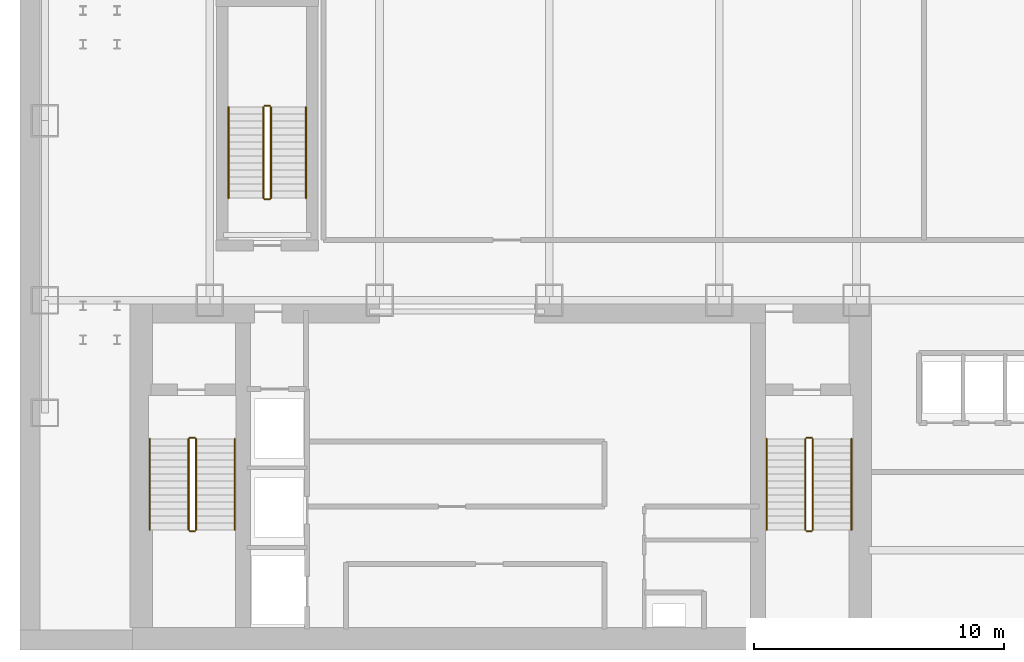
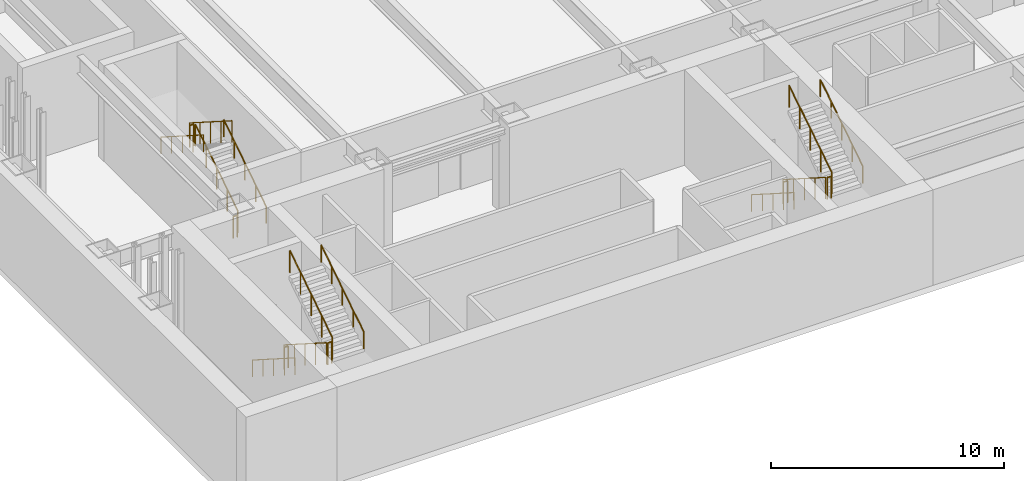
# One storey, part 13 of 16: 18 railings.
"""IFC4 building model written with IfcOpenShell, lengths in metres."""

from ifc_helpers import new_model, si_unit, derived_unit, direction, frame, origin, origin_2d, place, context, subcontext, project, spatial, circle, extrude, material, type_object, element, save


model = new_model("IFC4")

# Units and contexts
model_context = context("Model", 3, precision=1e-05, world=origin(), true_north=direction((0.0, 1.0)))
body_context = subcontext(model_context, "Body", "Model", "MODEL_VIEW")
ifc_project = project(units=[si_unit("LENGTHUNIT", "METRE"), si_unit("AREAUNIT", "SQUARE_METRE"), si_unit("VOLUMEUNIT", "CUBIC_METRE"), si_unit("PLANEANGLEUNIT", "RADIAN"), si_unit("MASSUNIT", "GRAM", prefix="KILO"), derived_unit("THERMALTRANSMITTANCEUNIT", [(si_unit("POWERUNIT", "WATT"), 1), (si_unit("LENGTHUNIT", "METRE"), -2), (si_unit("THERMODYNAMICTEMPERATUREUNIT", "KELVIN"), -1)])], contexts=[model_context])

# Site, building, storey
site_placement = place(None, origin())
site = spatial("IfcSite", under=ifc_project, at=site_placement, CompositionType="ELEMENT")
building_placement = place(site_placement, origin())
building = spatial("IfcBuilding", under=site, at=building_placement, Name="Skarnbrae Concourse Arena and Tower", CompositionType="ELEMENT")
storey_placement = place(building_placement, frame((0.0, 0.0, -5.0)))
storey = spatial("IfcBuildingStorey", under=building, at=storey_placement, Name="B01", CompositionType="ELEMENT", Elevation=-5.0)

# Railings
ifc_material = material(Name="Steel CSA G40.21 350W", Category="steel")
railing_type_1 = type_object("IfcRailingType", Name="RAIL-HANDRAIL-900", PredefinedType="HANDRAIL", material=ifc_material)
railing_1_placement = place(storey_placement, frame((5.199951171875, 8.449951171875, 0.178466796875)))
element("IfcRailing", 1, at=railing_1_placement, inside=storey, type_object=railing_type_1, Name="B01 ST-1 stair handrail 1", PredefinedType="HANDRAIL", context=body_context, shape_type="SweptSolid", body=[
    extrude(circle(Radius=0.02392578125, at=origin_2d()), frame((0.0, 0.0, 0.8759765625), z_axis=(0.0, -0.843111507901, 0.53773877045), x_axis=(1.0, 0.0, 0.0)), (0.0, 0.0, 1.0), 4.317138671875),
    extrude(circle(Radius=0.02099609375, at=origin_2d()), origin(), (0.0, 0.0, 1.0), 0.851806640625),
    extrude(circle(Radius=0.02099609375, at=origin_2d()), frame((0.0, -0.909912109375, 0.580322265625)), (0.0, 0.0, 1.0), 0.851806640625),
    extrude(circle(Radius=0.02099609375, at=origin_2d()), frame((0.0, -1.81982421875, 1.16064453125)), (0.0, 0.0, 1.0), 0.851806640625),
    extrude(circle(Radius=0.02099609375, at=origin_2d()), frame((0.0, -2.72998046875, 1.7412109375)), (0.0, 0.0, 1.0), 0.851806640625),
    extrude(circle(Radius=0.02099609375, at=origin_2d()), frame((0.0, -3.639892578125, 2.321533203125)), (0.0, 0.0, 1.0), 0.851806640625),
])
railing_2_placement = place(storey_placement, frame((8.60009765625, 4.81005859375, 2.678466796875)))
element("IfcRailing", 2, at=railing_2_placement, inside=storey, type_object=railing_type_1, Name="B01 ST-1 stair handrail 2", PredefinedType="HANDRAIL", context=body_context, shape_type="SweptSolid", body=[
    extrude(circle(Radius=0.02392578125, at=origin_2d()), frame((0.0, 0.0, 0.8759765625), z_axis=(0.0, 0.843111507901, 0.53773877045), x_axis=(-1.0, 0.0, 0.0)), (0.0, 0.0, 1.0), 4.317138671875),
    extrude(circle(Radius=0.02099609375, at=origin_2d()), origin(), (0.0, 0.0, 1.0), 0.851806640625),
    extrude(circle(Radius=0.02099609375, at=origin_2d()), frame((0.0, 0.909912109375, 0.580322265625)), (0.0, 0.0, 1.0), 0.851806640625),
    extrude(circle(Radius=0.02099609375, at=origin_2d()), frame((0.0, 1.81982421875, 1.16064453125)), (0.0, 0.0, 1.0), 0.851806640625),
    extrude(circle(Radius=0.02099609375, at=origin_2d()), frame((0.0, 2.72998046875, 1.7412109375)), (0.0, 0.0, 1.0), 0.851806640625),
    extrude(circle(Radius=0.02099609375, at=origin_2d()), frame((0.0, 3.639892578125, 2.321533203125)), (0.0, 0.0, 1.0), 0.851806640625),
])
railing_3_placement = place(storey_placement, frame((29.89990234375, 8.449951171875, 0.178466796875)))
element("IfcRailing", 3, at=railing_3_placement, inside=storey, type_object=railing_type_1, Name="B01 ST-2 stair handrail 1", PredefinedType="HANDRAIL", context=body_context, shape_type="SweptSolid", body=[
    extrude(circle(Radius=0.02392578125, at=origin_2d()), frame((0.0, 0.0, 0.8759765625), z_axis=(0.0, -0.843111507901, 0.53773877045), x_axis=(1.0, 0.0, 0.0)), (0.0, 0.0, 1.0), 4.317138671875),
    extrude(circle(Radius=0.02099609375, at=origin_2d()), origin(), (0.0, 0.0, 1.0), 0.851806640625),
    extrude(circle(Radius=0.02099609375, at=origin_2d()), frame((0.0, -0.909912109375, 0.580322265625)), (0.0, 0.0, 1.0), 0.851806640625),
    extrude(circle(Radius=0.02099609375, at=origin_2d()), frame((0.0, -1.81982421875, 1.16064453125)), (0.0, 0.0, 1.0), 0.851806640625),
    extrude(circle(Radius=0.02099609375, at=origin_2d()), frame((0.0, -2.72998046875, 1.7412109375)), (0.0, 0.0, 1.0), 0.851806640625),
    extrude(circle(Radius=0.02099609375, at=origin_2d()), frame((0.0, -3.639892578125, 2.321533203125)), (0.0, 0.0, 1.0), 0.851806640625),
])
for number, where, name in (
    (4, (33.300048828125, 4.81005859375, 2.678466796875), "B01 ST-2 stair handrail 2"),
    (5, (11.449951171875, 18.10009765625, 0.178466796875), "B01 ST-B3 stair handrail 1"),
):
    element("IfcRailing", number, at=place(storey_placement, frame(where)), inside=storey, type_object=railing_type_1, Name=name, PredefinedType="HANDRAIL", context=body_context, shape_type="SweptSolid", body=[
        extrude(circle(Radius=0.02392578125, at=origin_2d()), frame((0.0, 0.0, 0.8759765625), z_axis=(0.0, 0.843111507901, 0.53773877045), x_axis=(-1.0, 0.0, 0.0)), (0.0, 0.0, 1.0), 4.317138671875),
        extrude(circle(Radius=0.02099609375, at=origin_2d()), origin(), (0.0, 0.0, 1.0), 0.851806640625),
        extrude(circle(Radius=0.02099609375, at=origin_2d()), frame((0.0, 0.909912109375, 0.580322265625)), (0.0, 0.0, 1.0), 0.851806640625),
        extrude(circle(Radius=0.02099609375, at=origin_2d()), frame((0.0, 1.81982421875, 1.16064453125)), (0.0, 0.0, 1.0), 0.851806640625),
        extrude(circle(Radius=0.02099609375, at=origin_2d()), frame((0.0, 2.72998046875, 1.7412109375)), (0.0, 0.0, 1.0), 0.851806640625),
        extrude(circle(Radius=0.02099609375, at=origin_2d()), frame((0.0, 3.639892578125, 2.321533203125)), (0.0, 0.0, 1.0), 0.851806640625),
    ])
railing_4_placement = place(storey_placement, frame((8.35009765625, 21.739990234375, 2.678466796875)))
element("IfcRailing", 6, at=railing_4_placement, inside=storey, type_object=railing_type_1, Name="B01 ST-B3 stair handrail 2", PredefinedType="HANDRAIL", context=body_context, shape_type="SweptSolid", body=[
    extrude(circle(Radius=0.02392578125, at=origin_2d()), frame((0.0, 0.0, 0.8759765625), z_axis=(0.0, -0.843111507901, 0.53773877045), x_axis=(1.0, 0.0, 0.0)), (0.0, 0.0, 1.0), 4.317138671875),
    extrude(circle(Radius=0.02099609375, at=origin_2d()), origin(), (0.0, 0.0, 1.0), 0.851806640625),
    extrude(circle(Radius=0.02099609375, at=origin_2d()), frame((0.0, -0.909912109375, 0.580322265625)), (0.0, 0.0, 1.0), 0.851806640625),
    extrude(circle(Radius=0.02099609375, at=origin_2d()), frame((0.0, -1.81982421875, 1.16064453125)), (0.0, 0.0, 1.0), 0.851806640625),
    extrude(circle(Radius=0.02099609375, at=origin_2d()), frame((0.0, -2.72998046875, 1.7412109375)), (0.0, 0.0, 1.0), 0.851806640625),
    extrude(circle(Radius=0.02099609375, at=origin_2d()), frame((0.0, -3.639892578125, 2.321533203125)), (0.0, 0.0, 1.0), 0.851806640625),
])
railing_type_2 = type_object("IfcRailingType", Name="RAIL-STAIR-GUARD-1150", PredefinedType="GUARDRAIL", material=ifc_material)
railing_5_placement = place(storey_placement, frame((6.75, 8.449951171875, 0.178466796875)))
element("IfcRailing", 7, at=railing_5_placement, inside=storey, type_object=railing_type_2, Name="B01 ST-1 stair guard 1", PredefinedType="GUARDRAIL", context=body_context, shape_type="SweptSolid", body=[
    extrude(circle(Radius=0.02392578125, at=origin_2d()), frame((0.0, 0.0, 1.1259765625), z_axis=(0.0, -0.843111507901, 0.53773877045), x_axis=(1.0, 0.0, 0.0)), (0.0, 0.0, 1.0), 4.317138671875),
    extrude(circle(Radius=0.02099609375, at=origin_2d()), origin(), (0.0, 0.0, 1.0), 1.101806640625),
    extrude(circle(Radius=0.02099609375, at=origin_2d()), frame((0.0, -0.909912109375, 0.580322265625)), (0.0, 0.0, 1.0), 1.101806640625),
    extrude(circle(Radius=0.02099609375, at=origin_2d()), frame((0.0, -1.81982421875, 1.16064453125)), (0.0, 0.0, 1.0), 1.101806640625),
    extrude(circle(Radius=0.02099609375, at=origin_2d()), frame((0.0, -2.72998046875, 1.7412109375)), (0.0, 0.0, 1.0), 1.101806640625),
    extrude(circle(Radius=0.02099609375, at=origin_2d()), frame((0.0, -3.639892578125, 2.321533203125)), (0.0, 0.0, 1.0), 1.101806640625),
])
railing_6_placement = place(storey_placement, frame((6.800048828125, 4.760009765625, 2.5)))
element("IfcRailing", 8, at=railing_6_placement, inside=storey, type_object=railing_type_2, Name="B01 ST-1 stair guard 2", PredefinedType="GUARDRAIL", context=body_context, shape_type="SweptSolid", body=[
    extrude(circle(Radius=0.02392578125, at=origin_2d()), frame((0.0, 0.0, 1.1259765625), z_axis=(1.0, 0.0, 0.0), x_axis=(0.0, 1.0, 0.0)), (0.0, 0.0, 1.0), 0.199951171875),
    extrude(circle(Radius=0.02099609375, at=origin_2d()), origin(), (0.0, 0.0, 1.0), 1.101806640625),
    extrude(circle(Radius=0.02099609375, at=origin_2d()), frame((0.199951171875, 0.0, 0.0)), (0.0, 0.0, 1.0), 1.101806640625),
])
railing_7_placement = place(storey_placement, frame((7.050048828125, 4.81005859375, 2.678466796875)))
element("IfcRailing", 9, at=railing_7_placement, inside=storey, type_object=railing_type_2, Name="B01 ST-1 stair guard 3", PredefinedType="GUARDRAIL", context=body_context, shape_type="SweptSolid", body=[
    extrude(circle(Radius=0.02392578125, at=origin_2d()), frame((0.0, 0.0, 1.1259765625), z_axis=(0.0, 0.843111507901, 0.53773877045), x_axis=(-1.0, 0.0, 0.0)), (0.0, 0.0, 1.0), 4.317138671875),
    extrude(circle(Radius=0.02099609375, at=origin_2d()), origin(), (0.0, 0.0, 1.0), 1.101806640625),
    extrude(circle(Radius=0.02099609375, at=origin_2d()), frame((0.0, 0.909912109375, 0.580322265625)), (0.0, 0.0, 1.0), 1.101806640625),
    extrude(circle(Radius=0.02099609375, at=origin_2d()), frame((0.0, 1.81982421875, 1.16064453125)), (0.0, 0.0, 1.0), 1.101806640625),
    extrude(circle(Radius=0.02099609375, at=origin_2d()), frame((0.0, 2.72998046875, 1.7412109375)), (0.0, 0.0, 1.0), 1.101806640625),
    extrude(circle(Radius=0.02099609375, at=origin_2d()), frame((0.0, 3.639892578125, 2.321533203125)), (0.0, 0.0, 1.0), 1.101806640625),
])
railing_8_placement = place(storey_placement, frame((6.800048828125, 8.5, 0.0)))
element("IfcRailing", 10, at=railing_8_placement, inside=storey, type_object=railing_type_2, Name="B01 ST-1 stair guard 4", PredefinedType="GUARDRAIL", context=body_context, shape_type="SweptSolid", body=[
    extrude(circle(Radius=0.02392578125, at=origin_2d()), frame((0.0, 0.0, 1.1259765625), z_axis=(1.0, 0.0, 0.0), x_axis=(0.0, 1.0, 0.0)), (0.0, 0.0, 1.0), 0.199951171875),
    extrude(circle(Radius=0.02099609375, at=origin_2d()), origin(), (0.0, 0.0, 1.0), 1.101806640625),
    extrude(circle(Radius=0.02099609375, at=origin_2d()), frame((0.199951171875, 0.0, 0.0)), (0.0, 0.0, 1.0), 1.101806640625),
])
railing_9_placement = place(storey_placement, frame((31.449951171875, 8.449951171875, 0.178466796875)))
element("IfcRailing", 11, at=railing_9_placement, inside=storey, type_object=railing_type_2, Name="B01 ST-2 stair guard 1", PredefinedType="GUARDRAIL", context=body_context, shape_type="SweptSolid", body=[
    extrude(circle(Radius=0.02392578125, at=origin_2d()), frame((0.0, 0.0, 1.1259765625), z_axis=(0.0, -0.843111507901, 0.53773877045), x_axis=(1.0, 0.0, 0.0)), (0.0, 0.0, 1.0), 4.317138671875),
    extrude(circle(Radius=0.02099609375, at=origin_2d()), origin(), (0.0, 0.0, 1.0), 1.101806640625),
    extrude(circle(Radius=0.02099609375, at=origin_2d()), frame((0.0, -0.909912109375, 0.580322265625)), (0.0, 0.0, 1.0), 1.101806640625),
    extrude(circle(Radius=0.02099609375, at=origin_2d()), frame((0.0, -1.81982421875, 1.16064453125)), (0.0, 0.0, 1.0), 1.101806640625),
    extrude(circle(Radius=0.02099609375, at=origin_2d()), frame((0.0, -2.72998046875, 1.7412109375)), (0.0, 0.0, 1.0), 1.101806640625),
    extrude(circle(Radius=0.02099609375, at=origin_2d()), frame((0.0, -3.639892578125, 2.321533203125)), (0.0, 0.0, 1.0), 1.101806640625),
])
railing_10_placement = place(storey_placement, frame((31.5, 4.760009765625, 2.5)))
element("IfcRailing", 12, at=railing_10_placement, inside=storey, type_object=railing_type_2, Name="B01 ST-2 stair guard 2", PredefinedType="GUARDRAIL", context=body_context, shape_type="SweptSolid", body=[
    extrude(circle(Radius=0.02392578125, at=origin_2d()), frame((0.0, 0.0, 1.1259765625), z_axis=(1.0, 0.0, 0.0), x_axis=(0.0, 1.0, 0.0)), (0.0, 0.0, 1.0), 0.199951171875),
    extrude(circle(Radius=0.02099609375, at=origin_2d()), origin(), (0.0, 0.0, 1.0), 1.101806640625),
    extrude(circle(Radius=0.02099609375, at=origin_2d()), frame((0.199951171875, 0.0, 0.0)), (0.0, 0.0, 1.0), 1.101806640625),
])
railing_11_placement = place(storey_placement, frame((31.75, 4.81005859375, 2.678466796875)))
element("IfcRailing", 13, at=railing_11_placement, inside=storey, type_object=railing_type_2, Name="B01 ST-2 stair guard 3", PredefinedType="GUARDRAIL", context=body_context, shape_type="SweptSolid", body=[
    extrude(circle(Radius=0.02392578125, at=origin_2d()), frame((0.0, 0.0, 1.1259765625), z_axis=(0.0, 0.843111507901, 0.53773877045), x_axis=(-1.0, 0.0, 0.0)), (0.0, 0.0, 1.0), 4.317138671875),
    extrude(circle(Radius=0.02099609375, at=origin_2d()), origin(), (0.0, 0.0, 1.0), 1.101806640625),
    extrude(circle(Radius=0.02099609375, at=origin_2d()), frame((0.0, 0.909912109375, 0.580322265625)), (0.0, 0.0, 1.0), 1.101806640625),
    extrude(circle(Radius=0.02099609375, at=origin_2d()), frame((0.0, 1.81982421875, 1.16064453125)), (0.0, 0.0, 1.0), 1.101806640625),
    extrude(circle(Radius=0.02099609375, at=origin_2d()), frame((0.0, 2.72998046875, 1.7412109375)), (0.0, 0.0, 1.0), 1.101806640625),
    extrude(circle(Radius=0.02099609375, at=origin_2d()), frame((0.0, 3.639892578125, 2.321533203125)), (0.0, 0.0, 1.0), 1.101806640625),
])
railing_12_placement = place(storey_placement, frame((31.5, 8.5, 0.0)))
element("IfcRailing", 14, at=railing_12_placement, inside=storey, type_object=railing_type_2, Name="B01 ST-2 stair guard 4", PredefinedType="GUARDRAIL", context=body_context, shape_type="SweptSolid", body=[
    extrude(circle(Radius=0.02392578125, at=origin_2d()), frame((0.0, 0.0, 1.1259765625), z_axis=(1.0, 0.0, 0.0), x_axis=(0.0, 1.0, 0.0)), (0.0, 0.0, 1.0), 0.199951171875),
    extrude(circle(Radius=0.02099609375, at=origin_2d()), origin(), (0.0, 0.0, 1.0), 1.101806640625),
    extrude(circle(Radius=0.02099609375, at=origin_2d()), frame((0.199951171875, 0.0, 0.0)), (0.0, 0.0, 1.0), 1.101806640625),
])
railing_13_placement = place(storey_placement, frame((10.050048828125, 18.10009765625, 0.178466796875)))
element("IfcRailing", 15, at=railing_13_placement, inside=storey, type_object=railing_type_2, Name="B01 ST-B3 stair guard 1", PredefinedType="GUARDRAIL", context=body_context, shape_type="SweptSolid", body=[
    extrude(circle(Radius=0.02392578125, at=origin_2d()), frame((0.0, 0.0, 1.1259765625), z_axis=(0.0, 0.843111507901, 0.53773877045), x_axis=(-1.0, 0.0, 0.0)), (0.0, 0.0, 1.0), 4.317138671875),
    extrude(circle(Radius=0.02099609375, at=origin_2d()), origin(), (0.0, 0.0, 1.0), 1.101806640625),
    extrude(circle(Radius=0.02099609375, at=origin_2d()), frame((0.0, 0.909912109375, 0.580322265625)), (0.0, 0.0, 1.0), 1.101806640625),
    extrude(circle(Radius=0.02099609375, at=origin_2d()), frame((0.0, 1.81982421875, 1.16064453125)), (0.0, 0.0, 1.0), 1.101806640625),
    extrude(circle(Radius=0.02099609375, at=origin_2d()), frame((0.0, 2.72998046875, 1.7412109375)), (0.0, 0.0, 1.0), 1.101806640625),
    extrude(circle(Radius=0.02099609375, at=origin_2d()), frame((0.0, 3.639892578125, 2.321533203125)), (0.0, 0.0, 1.0), 1.101806640625),
])
railing_14_placement = place(storey_placement, frame((10.0, 21.7900390625, 2.5)))
element("IfcRailing", 16, at=railing_14_placement, inside=storey, type_object=railing_type_2, Name="B01 ST-B3 stair guard 2", PredefinedType="GUARDRAIL", context=body_context, shape_type="SweptSolid", body=[
    extrude(circle(Radius=0.02392578125, at=origin_2d()), frame((0.0, 0.0, 1.1259765625), z_axis=(-1.0, 0.0, 0.0), x_axis=(0.0, -1.0, 0.0)), (0.0, 0.0, 1.0), 0.199951171875),
    extrude(circle(Radius=0.02099609375, at=origin_2d()), origin(), (0.0, 0.0, 1.0), 1.101806640625),
    extrude(circle(Radius=0.02099609375, at=origin_2d()), frame((-0.199951171875, 0.0, 0.0)), (0.0, 0.0, 1.0), 1.101806640625),
])
railing_15_placement = place(storey_placement, frame((9.75, 21.739990234375, 2.678466796875)))
element("IfcRailing", 17, at=railing_15_placement, inside=storey, type_object=railing_type_2, Name="B01 ST-B3 stair guard 3", PredefinedType="GUARDRAIL", context=body_context, shape_type="SweptSolid", body=[
    extrude(circle(Radius=0.02392578125, at=origin_2d()), frame((0.0, 0.0, 1.1259765625), z_axis=(0.0, -0.843111507901, 0.53773877045), x_axis=(1.0, 0.0, 0.0)), (0.0, 0.0, 1.0), 4.317138671875),
    extrude(circle(Radius=0.02099609375, at=origin_2d()), origin(), (0.0, 0.0, 1.0), 1.101806640625),
    extrude(circle(Radius=0.02099609375, at=origin_2d()), frame((0.0, -0.909912109375, 0.580322265625)), (0.0, 0.0, 1.0), 1.101806640625),
    extrude(circle(Radius=0.02099609375, at=origin_2d()), frame((0.0, -1.81982421875, 1.16064453125)), (0.0, 0.0, 1.0), 1.101806640625),
    extrude(circle(Radius=0.02099609375, at=origin_2d()), frame((0.0, -2.72998046875, 1.7412109375)), (0.0, 0.0, 1.0), 1.101806640625),
    extrude(circle(Radius=0.02099609375, at=origin_2d()), frame((0.0, -3.639892578125, 2.321533203125)), (0.0, 0.0, 1.0), 1.101806640625),
])
railing_16_placement = place(storey_placement, frame((10.0, 18.050048828125, 0.0)))
element("IfcRailing", 18, at=railing_16_placement, inside=storey, type_object=railing_type_2, Name="B01 ST-B3 stair guard 4", PredefinedType="GUARDRAIL", context=body_context, shape_type="SweptSolid", body=[
    extrude(circle(Radius=0.02392578125, at=origin_2d()), frame((0.0, 0.0, 1.1259765625), z_axis=(-1.0, 0.0, 0.0), x_axis=(0.0, -1.0, 0.0)), (0.0, 0.0, 1.0), 0.199951171875),
    extrude(circle(Radius=0.02099609375, at=origin_2d()), origin(), (0.0, 0.0, 1.0), 1.101806640625),
    extrude(circle(Radius=0.02099609375, at=origin_2d()), frame((-0.199951171875, 0.0, 0.0)), (0.0, 0.0, 1.0), 1.101806640625),
])

save(model, "model.ifc")
